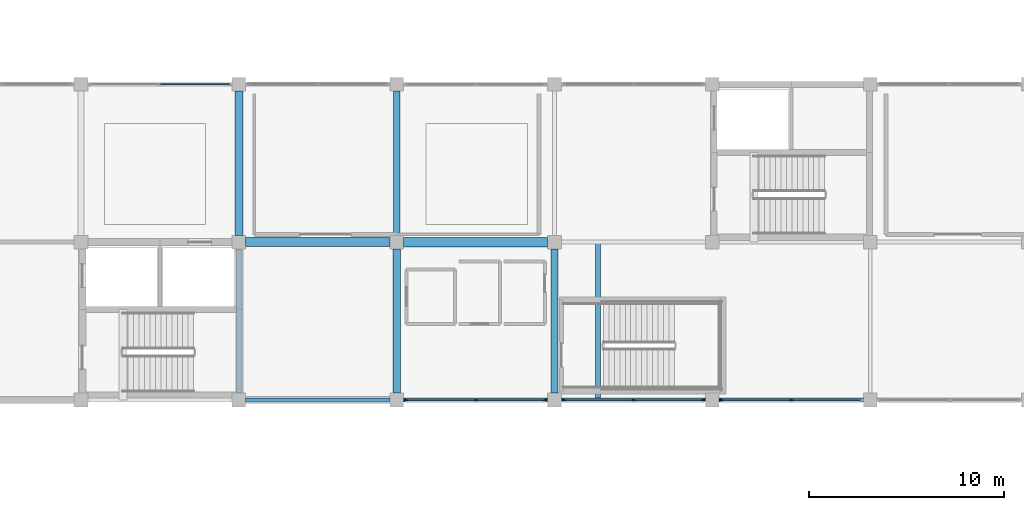
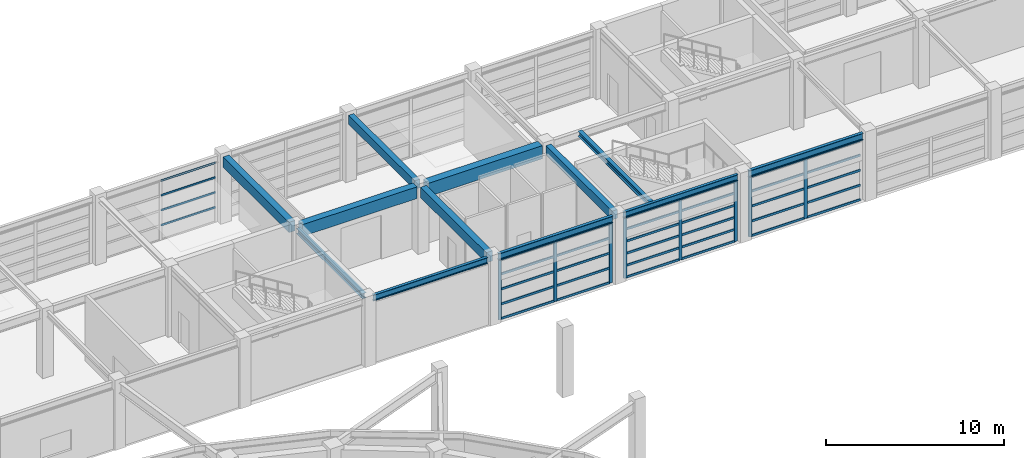
# One storey, part 25 of 56: 44 members, 12 beams, 4 elements without a shape of their own.
"""IFC4 building model written with IfcOpenShell, lengths in metres."""

from ifc_helpers import new_model, si_unit, direction, frame, origin, origin_2d, place, context, subcontext, project, spatial, rectangle, i_section, extrude, material, material_profile, profile_set, type_object, element, aggregate, save


model = new_model("IFC4")

# Units and contexts
model_context = context("Model", 3, precision=1e-05, world=origin(), true_north=direction((0.0, 1.0)))
body_context = subcontext(model_context, "Body", "Model", "MODEL_VIEW")
ifc_project = project(units=[si_unit("LENGTHUNIT", "METRE"), si_unit("AREAUNIT", "SQUARE_METRE"), si_unit("VOLUMEUNIT", "CUBIC_METRE"), si_unit("PLANEANGLEUNIT", "RADIAN"), si_unit("MASSUNIT", "GRAM", prefix="KILO")], contexts=[model_context])

# Site, building, storey
site_placement = place(None, origin())
site = spatial("IfcSite", under=ifc_project, at=site_placement, CompositionType="ELEMENT")
building_placement = place(site_placement, origin())
building = spatial("IfcBuilding", under=site, at=building_placement, Name="Parian Resonance Hall", CompositionType="ELEMENT")
storey_placement = place(building_placement, frame((0.0, 0.0, 5.39990234375)))
storey = spatial("IfcBuildingStorey", under=building, at=storey_placement, Name="L01", CompositionType="ELEMENT", Elevation=5.39990234375)

# Beams
ifc_material_1 = material(Name="Concrete C40/50", Category="concrete")
ifc_material_profile_1 = material_profile(ifc_material_1, rectangle(XDim=0.35009765625, YDim=0.60009765625, at=origin_2d()), Name="RC-BM-350x600")
ifc_profile_set_1 = profile_set([ifc_material_profile_1], Name="Concrete C40/50")
beam_type_1 = type_object("IfcBeamType", Name="BM-RC350x600", PredefinedType="BEAM", material=ifc_profile_set_1)
for number, where, z_axis, x_axis, name in (
    (1, (72.89990234375, 81.35009765625, 4.260009765625), (0.0, 1.0, 0.0), (-1.0, 0.0, 0.0), "GY-L01-0612"),
    (2, (81.0, 73.25, 4.260009765625), (0.0, 1.0, 0.0), (-1.0, 0.0, 0.0), "GY-L01-0613"),
):
    element("IfcBeam", number, at=place(storey_placement, frame(where, z_axis=z_axis, x_axis=x_axis)), inside=storey, type_object=beam_type_1, Name=name, PredefinedType="BEAM", context=body_context, shape_type="SweptSolid", body=[
        extrude(rectangle(XDim=0.35009765625, YDim=0.60009765625, at=origin_2d()), origin(), (0.0, 0.0, 1.0), 7.39990234375),
    ])
ifc_material_2 = material(Name="Concrete C40/50", Category="concrete")
ifc_material_profile_2 = material_profile(ifc_material_2, rectangle(XDim=0.39990234375, YDim=0.699951171875, at=origin_2d()), Name="RC-BM-400x700")
ifc_profile_set_2 = profile_set([ifc_material_profile_2], Name="Concrete C40/50")
beam_type_2 = type_object("IfcBeamType", Name="BM-RC400x700", PredefinedType="BEAM", material=ifc_profile_set_2)
for number, where, z_axis, x_axis, name in (
    (3, (64.800048828125, 81.35009765625, 4.210205078125), (0.0, 1.0, 0.0), (-1.0, 0.0, 0.0), "GY-L01-0607"),
    (4, (72.89990234375, 73.25, 4.210205078125), (0.0, 1.0, 0.0), (-1.0, 0.0, 0.0), "GY-L01-0611"),
):
    element("IfcBeam", number, at=place(storey_placement, frame(where, z_axis=z_axis, x_axis=x_axis)), inside=storey, type_object=beam_type_2, Name=name, PredefinedType="BEAM", context=body_context, shape_type="SweptSolid", body=[
        extrude(rectangle(XDim=0.39990234375, YDim=0.699951171875, at=origin_2d()), origin(), (0.0, 0.0, 1.0), 7.39990234375),
    ])
ifc_material_3 = material(Name="Concrete C40/50", Category="concrete")
ifc_material_profile_3 = material_profile(ifc_material_3, rectangle(XDim=0.449951171875, YDim=0.800048828125, at=origin_2d()), Name="RC-BM-450x800")
ifc_profile_set_3 = profile_set([ifc_material_profile_3], Name="Concrete C40/50")
beam_type_3 = type_object("IfcBeamType", Name="BM-RC450x800", PredefinedType="USERDEFINED", material=ifc_profile_set_3)
beam_1_placement = place(storey_placement, frame((65.14990234375, 81.0, 4.16015625), z_axis=(1.0, 0.0, 0.0), x_axis=(0.0, 1.0, 0.0)))
element("IfcBeam", 5, at=beam_1_placement, inside=storey, type_object=beam_type_3, Name="GX-L01-0544", ObjectType="GIRDER", PredefinedType="USERDEFINED", context=body_context, shape_type="SweptSolid", body=[
    extrude(rectangle(XDim=0.449951171875, YDim=0.800048828125, at=origin_2d()), origin(), (0.0, 0.0, 1.0), 7.400146484375),
])
ifc_material_4 = material(Name="Concrete C40/50", Category="concrete")
ifc_material_profile_4 = material_profile(ifc_material_4, rectangle(XDim=0.5, YDim=0.89990234375, at=origin_2d()), Name="RC-BM-500x900")
ifc_profile_set_4 = profile_set([ifc_material_profile_4], Name="Concrete C40/50")
beam_type_4 = type_object("IfcBeamType", Name="BM-RC500x900", PredefinedType="USERDEFINED", material=ifc_profile_set_4)
beam_2_placement = place(storey_placement, frame((73.25, 81.0, 4.110107421875), z_axis=(1.0, 0.0, 0.0), x_axis=(0.0, 1.0, 0.0)))
element("IfcBeam", 6, at=beam_2_placement, inside=storey, type_object=beam_type_4, Name="GX-L01-0547", ObjectType="GIRDER", PredefinedType="USERDEFINED", context=body_context, shape_type="SweptSolid", body=[
    extrude(rectangle(XDim=0.5, YDim=0.89990234375, at=origin_2d()), origin(), (0.0, 0.0, 1.0), 7.39990234375),
])
ifc_material_5 = material(Name="Steel S355", Category="steel")
ifc_material_profile_5 = material_profile(ifc_material_5, i_section(OverallWidth=0.2548828125, OverallDepth=0.35693359375, WebThickness=0.010498046875, FlangeThickness=0.018310546875, FilletRadius=0.01513671875, at=origin_2d()), Name="W360x101")
ifc_profile_set_5 = profile_set([ifc_material_profile_5], Name="Steel S355")
beam_type_5 = type_object("IfcBeamType", Name="BM-W360x101", PredefinedType="SPANDREL", material=ifc_profile_set_5)
beam_3_placement = place(storey_placement, frame((64.800048828125, 73.25, 4.381591796875), z_axis=(0.0, 1.0, 0.0), x_axis=(-1.0, 0.0, 0.0)))
element("IfcBeam", 7, at=beam_3_placement, inside=storey, type_object=beam_type_5, Name="GY-L01-0606", PredefinedType="SPANDREL", context=body_context, shape_type="SweptSolid", body=[
    extrude(i_section(OverallWidth=0.2548828125, OverallDepth=0.35693359375, WebThickness=0.010498046875, FlangeThickness=0.018310546875, FilletRadius=0.01513671875, at=origin_2d()), origin(), (0.0, 0.0, 1.0), 7.39990234375),
])
beam_4_placement = place(storey_placement, frame((83.219970703125, 72.89990234375, 4.381591796875), z_axis=(0.0, 1.0, 0.0), x_axis=(-1.0, 0.0, 0.0)))
element("IfcBeam", 8, at=beam_4_placement, inside=storey, type_object=beam_type_5, Name="Feature stair ST-08 arrival header beam L01", PredefinedType="SPANDREL", context=body_context, shape_type="SweptSolid", body=[
    extrude(i_section(OverallWidth=0.2548828125, OverallDepth=0.35693359375, WebThickness=0.010498046875, FlangeThickness=0.018310546875, FilletRadius=0.01513671875, at=origin_2d()), origin(), (0.0, 0.0, 1.0), 8.10009765625),
])
ifc_material_6 = material(Name="Steel S355", Category="steel")
ifc_material_profile_6 = material_profile(ifc_material_6, i_section(OverallWidth=0.180908203125, OverallDepth=0.4169921875, WebThickness=0.010986328125, FlangeThickness=0.018310546875, FilletRadius=0.01513671875, at=origin_2d()), Name="W410x85")
ifc_profile_set_6 = profile_set([ifc_material_profile_6], Name="Steel S355")
beam_type_6 = type_object("IfcBeamType", Name="BM-W410x85", PredefinedType="SPANDREL", material=ifc_profile_set_6)
beam_5_placement = place(storey_placement, frame((65.14990234375, 72.89990234375, 4.3515625), z_axis=(1.0, 0.0, 0.0), x_axis=(0.0, 1.0, 0.0)))
element("IfcBeam", 9, at=beam_5_placement, inside=storey, type_object=beam_type_6, Name="GX-L01-0543", PredefinedType="SPANDREL", context=body_context, shape_type="SweptSolid", body=[
    extrude(i_section(OverallWidth=0.180908203125, OverallDepth=0.4169921875, WebThickness=0.010986328125, FlangeThickness=0.018310546875, FilletRadius=0.01513671875, at=origin_2d()), origin(), (0.0, 0.0, 1.0), 7.400146484375),
])
beam_6_placement = place(storey_placement, frame((81.35009765625, 72.89990234375, 4.3515625), z_axis=(1.0, 0.0, 0.0), x_axis=(0.0, 1.0, 0.0)))
element("IfcBeam", 10, at=beam_6_placement, inside=storey, type_object=beam_type_6, Name="GX-L01-0549", PredefinedType="SPANDREL", context=body_context, shape_type="SweptSolid", body=[
    extrude(i_section(OverallWidth=0.180908203125, OverallDepth=0.4169921875, WebThickness=0.010986328125, FlangeThickness=0.018310546875, FilletRadius=0.01513671875, at=origin_2d()), origin(), (0.0, 0.0, 1.0), 7.39990234375),
])
ifc_material_7 = material(Name="Steel S355", Category="steel")
ifc_material_profile_7 = material_profile(ifc_material_7, i_section(OverallWidth=0.194091796875, OverallDepth=0.468994140625, WebThickness=0.0126953125, FlangeThickness=0.0205078125, FilletRadius=0.01513671875, at=origin_2d()), Name="W460x106")
ifc_profile_set_7 = profile_set([ifc_material_profile_7], Name="Steel S355")
beam_type_7 = type_object("IfcBeamType", Name="BM-W460x106", PredefinedType="SPANDREL", material=ifc_profile_set_7)
beam_7_placement = place(storey_placement, frame((73.25, 72.89990234375, 4.32568359375), z_axis=(1.0, 0.0, 0.0), x_axis=(0.0, 1.0, 0.0)))
element("IfcBeam", 11, at=beam_7_placement, inside=storey, type_object=beam_type_7, Name="GX-L01-0546", PredefinedType="SPANDREL", context=body_context, shape_type="SweptSolid", body=[
    extrude(i_section(OverallWidth=0.194091796875, OverallDepth=0.468994140625, WebThickness=0.0126953125, FlangeThickness=0.0205078125, FilletRadius=0.01513671875, at=origin_2d()), origin(), (0.0, 0.0, 1.0), 7.39990234375),
])
beam_8_placement = place(storey_placement, frame((89.449951171875, 72.89990234375, 4.32568359375), z_axis=(1.0, 0.0, 0.0), x_axis=(0.0, 1.0, 0.0)))
element("IfcBeam", 12, at=beam_8_placement, inside=storey, type_object=beam_type_7, Name="GX-L01-0552", PredefinedType="SPANDREL", context=body_context, shape_type="SweptSolid", body=[
    extrude(i_section(OverallWidth=0.194091796875, OverallDepth=0.468994140625, WebThickness=0.0126953125, FlangeThickness=0.0205078125, FilletRadius=0.01513671875, at=origin_2d()), origin(), (0.0, 0.0, 1.0), 7.400146484375),
])

# Curtain wall, members
ifc_material_8 = material(Name="Bronze-anodised aluminium frame", Category="aluminium")
curtain_wall_type_1 = type_object("IfcCurtainWallType", Name="CW-SYS-06", PredefinedType="NOTDEFINED", material=ifc_material_8)
curtain_wall_1_placement = place(storey_placement, origin())
curtain_wall_1 = element("IfcCurtainWall", 13, at=curtain_wall_1_placement, inside=storey, type_object=curtain_wall_type_1, Name="Curtain wall CW-L01-106", PredefinedType="NOTDEFINED")
ifc_material_9 = material(Name="Bronze-anodised aluminium frame", Category="aluminium")
ifc_material_profile_8 = material_profile(ifc_material_9, rectangle(XDim=0.074951171875, YDim=0.199951171875, at=origin_2d()), Name="CWM-75x200")
ifc_profile_set_8 = profile_set([ifc_material_profile_8], Name="Bronze-anodised aluminium frame")
member_type_1 = type_object("IfcMemberType", Name="CWM-75x200", PredefinedType="MULLION", material=ifc_profile_set_8)
member_1_placement = place(storey_placement, frame((80.532470703125, 72.89990234375, -0.0078125), z_axis=(0.0, 0.0, 1.0), x_axis=(0.0, -1.0, 0.0)))
member_1 = element("IfcMember", 14, at=member_1_placement, type_object=member_type_1, Name="CW-06 mullion 1", PredefinedType="MULLION", context=body_context, shape_type="SweptSolid", body=[
    extrude(rectangle(XDim=0.074951171875, YDim=0.199951171875, at=origin_2d()), origin(), (0.0, 0.0, 1.0), 4.10302734375),
])
member_2_placement = place(storey_placement, frame((76.949951171875, 72.89990234375, -0.0078125), z_axis=(0.0, 0.0, 1.0), x_axis=(0.0, -1.0, 0.0)))
member_2 = element("IfcMember", 15, at=member_2_placement, type_object=member_type_1, Name="CW-06 mullion 2", PredefinedType="MULLION", context=body_context, shape_type="SweptSolid", body=[
    extrude(rectangle(XDim=0.074951171875, YDim=0.199951171875, at=origin_2d()), origin(), (0.0, 0.0, 1.0), 4.10302734375),
])
member_3_placement = place(storey_placement, frame((73.367431640625, 72.89990234375, -0.0078125), z_axis=(0.0, 0.0, 1.0), x_axis=(0.0, -1.0, 0.0)))
member_3 = element("IfcMember", 16, at=member_3_placement, type_object=member_type_1, Name="CW-06 mullion 3", PredefinedType="MULLION", context=body_context, shape_type="SweptSolid", body=[
    extrude(rectangle(XDim=0.074951171875, YDim=0.199951171875, at=origin_2d()), origin(), (0.0, 0.0, 1.0), 4.10302734375),
])

ifc_material_10 = material(Name="Bronze-anodised aluminium frame", Category="aluminium")
curtain_wall_type_2 = type_object("IfcCurtainWallType", Name="CW-SYS-01", PredefinedType="NOTDEFINED", material=ifc_material_10)
curtain_wall_2_placement = place(storey_placement, origin())
curtain_wall_2 = element("IfcCurtainWall", 17, at=curtain_wall_2_placement, inside=storey, type_object=curtain_wall_type_2, Name="Curtain wall CW-L01-112", PredefinedType="NOTDEFINED")
member_4_placement = place(storey_placement, frame((88.632568359375, 72.89990234375, -0.0078125), z_axis=(0.0, 0.0, 1.0), x_axis=(0.0, -1.0, 0.0)))
member_4 = element("IfcMember", 18, at=member_4_placement, type_object=member_type_1, Name="CW-01 mullion 1", PredefinedType="MULLION", context=body_context, shape_type="SweptSolid", body=[
    extrude(rectangle(XDim=0.074951171875, YDim=0.199951171875, at=origin_2d()), origin(), (0.0, 0.0, 1.0), 4.155029296875),
])
member_5_placement = place(storey_placement, frame((85.050048828125, 72.89990234375, -0.0078125), z_axis=(0.0, 0.0, 1.0), x_axis=(0.0, -1.0, 0.0)))
member_5 = element("IfcMember", 19, at=member_5_placement, type_object=member_type_1, Name="CW-01 mullion 2", PredefinedType="MULLION", context=body_context, shape_type="SweptSolid", body=[
    extrude(rectangle(XDim=0.074951171875, YDim=0.199951171875, at=origin_2d()), origin(), (0.0, 0.0, 1.0), 4.155029296875),
])
member_6_placement = place(storey_placement, frame((81.467529296875, 72.89990234375, -0.0078125), z_axis=(0.0, 0.0, 1.0), x_axis=(0.0, -1.0, 0.0)))
member_6 = element("IfcMember", 20, at=member_6_placement, type_object=member_type_1, Name="CW-01 mullion 3", PredefinedType="MULLION", context=body_context, shape_type="SweptSolid", body=[
    extrude(rectangle(XDim=0.074951171875, YDim=0.199951171875, at=origin_2d()), origin(), (0.0, 0.0, 1.0), 4.155029296875),
])

ifc_material_11 = material(Name="Bronze-anodised aluminium frame", Category="aluminium")
curtain_wall_type_3 = type_object("IfcCurtainWallType", Name="CW-SYS-02", PredefinedType="NOTDEFINED", material=ifc_material_11)
curtain_wall_3_placement = place(storey_placement, origin())
curtain_wall_3 = element("IfcCurtainWall", 21, at=curtain_wall_3_placement, inside=storey, type_object=curtain_wall_type_3, Name="Curtain wall CW-L01-118", PredefinedType="NOTDEFINED")
member_7_placement = place(storey_placement, frame((93.14990234375, 72.89990234375, -0.0078125), z_axis=(0.0, 0.0, 1.0), x_axis=(0.0, -1.0, 0.0)))
member_7 = element("IfcMember", 22, at=member_7_placement, type_object=member_type_1, Name="CW-02 mullion 2", PredefinedType="MULLION", context=body_context, shape_type="SweptSolid", body=[
    extrude(rectangle(XDim=0.074951171875, YDim=0.199951171875, at=origin_2d()), origin(), (0.0, 0.0, 1.0), 4.10302734375),
])
member_8_placement = place(storey_placement, frame((89.5673828125, 72.89990234375, -0.0078125), z_axis=(0.0, 0.0, 1.0), x_axis=(0.0, -1.0, 0.0)))
member_8 = element("IfcMember", 23, at=member_8_placement, type_object=member_type_1, Name="CW-02 mullion 3", PredefinedType="MULLION", context=body_context, shape_type="SweptSolid", body=[
    extrude(rectangle(XDim=0.074951171875, YDim=0.199951171875, at=origin_2d()), origin(), (0.0, 0.0, 1.0), 4.10302734375),
])

ifc_material_12 = material(Name="Bronze-anodised aluminium frame", Category="aluminium")
curtain_wall_type_4 = type_object("IfcCurtainWallType", Name="CW-SYS-03", PredefinedType="NOTDEFINED", material=ifc_material_12)
curtain_wall_4_placement = place(storey_placement, origin())
curtain_wall_4 = element("IfcCurtainWall", 24, at=curtain_wall_4_placement, inside=storey, type_object=curtain_wall_type_4, Name="Curtain wall CW-L01-087", PredefinedType="NOTDEFINED")
ifc_material_13 = material(Name="Bronze-anodised aluminium frame", Category="aluminium")
ifc_material_profile_9 = material_profile(ifc_material_13, rectangle(XDim=0.06494140625, YDim=0.1201171875, at=origin_2d()), Name="CWT-65x120")
ifc_profile_set_9 = profile_set([ifc_material_profile_9], Name="Bronze-anodised aluminium frame")
member_type_2 = type_object("IfcMemberType", Name="CWT-65x120", PredefinedType="USERDEFINED", material=ifc_profile_set_9)
member_9_placement = place(storey_placement, frame((60.782470703125, 89.10009765625, 1.021484375), z_axis=(1.0, 0.0, 0.0), x_axis=(0.0, 1.0, 0.0)))
member_9 = element("IfcMember", 25, at=member_9_placement, type_object=member_type_2, Name="CW-03 transom 2.2", ObjectType="TRANSOM", PredefinedType="USERDEFINED", context=body_context, shape_type="SweptSolid", body=[
    extrude(rectangle(XDim=0.06494140625, YDim=0.1201171875, at=origin_2d()), origin(), (0.0, 0.0, 1.0), 3.5224609375),
])
member_10_placement = place(storey_placement, frame((60.782470703125, 89.10009765625, 2.04248046875), z_axis=(1.0, 0.0, 0.0), x_axis=(0.0, 1.0, 0.0)))
member_10 = element("IfcMember", 26, at=member_10_placement, type_object=member_type_2, Name="CW-03 transom 2.3", ObjectType="TRANSOM", PredefinedType="USERDEFINED", context=body_context, shape_type="SweptSolid", body=[
    extrude(rectangle(XDim=0.06494140625, YDim=0.1201171875, at=origin_2d()), origin(), (0.0, 0.0, 1.0), 3.5224609375),
])
member_11_placement = place(storey_placement, frame((60.782470703125, 89.10009765625, 3.063720703125), z_axis=(1.0, 0.0, 0.0), x_axis=(0.0, 1.0, 0.0)))
member_11 = element("IfcMember", 27, at=member_11_placement, type_object=member_type_2, Name="CW-03 transom 2.4", ObjectType="TRANSOM", PredefinedType="USERDEFINED", context=body_context, shape_type="SweptSolid", body=[
    extrude(rectangle(XDim=0.06494140625, YDim=0.1201171875, at=origin_2d()), origin(), (0.0, 0.0, 1.0), 3.5224609375),
])
member_12_placement = place(storey_placement, frame((60.782470703125, 89.10009765625, 4.0625), z_axis=(1.0, 0.0, 0.0), x_axis=(0.0, 1.0, 0.0)))
member_12 = element("IfcMember", 28, at=member_12_placement, type_object=member_type_2, Name="CW-03 transom 2.5", ObjectType="TRANSOM", PredefinedType="USERDEFINED", context=body_context, shape_type="SweptSolid", body=[
    extrude(rectangle(XDim=0.06494140625, YDim=0.1201171875, at=origin_2d()), origin(), (0.0, 0.0, 1.0), 3.5224609375),
])
aggregate(curtain_wall_4, [member_9, member_10, member_11, member_12])

# Member
ifc_material_14 = material(Name="Bronze-anodised aluminium frame", Category="aluminium")
ifc_material_profile_10 = material_profile(ifc_material_14, rectangle(XDim=0.074951171875, YDim=0.14990234375, at=origin_2d()), Name="CWT-75x150")
ifc_profile_set_10 = profile_set([ifc_material_profile_10], Name="Bronze-anodised aluminium frame")
member_type_3 = type_object("IfcMemberType", Name="CWT-75x150", PredefinedType="USERDEFINED", material=ifc_profile_set_10)
member_13_placement = place(storey_placement, frame((80.4951171875, 72.89990234375, 0.029541015625), z_axis=(-1.0, 0.0, 0.0), x_axis=(0.0, -1.0, 0.0)))
member_13 = element("IfcMember", 29, at=member_13_placement, type_object=member_type_3, Name="CW-06 transom 1.1", ObjectType="TRANSOM", PredefinedType="USERDEFINED", context=body_context, shape_type="SweptSolid", body=[
    extrude(rectangle(XDim=0.074951171875, YDim=0.14990234375, at=origin_2d()), origin(), (0.0, 0.0, 1.0), 3.507568359375),
])

member_14_placement = place(storey_placement, frame((80.4951171875, 72.89990234375, 1.021484375), z_axis=(-1.0, 0.0, 0.0), x_axis=(0.0, -1.0, 0.0)))
member_14 = element("IfcMember", 30, at=member_14_placement, type_object=member_type_3, Name="CW-06 transom 1.2", ObjectType="TRANSOM", PredefinedType="USERDEFINED", context=body_context, shape_type="SweptSolid", body=[
    extrude(rectangle(XDim=0.074951171875, YDim=0.14990234375, at=origin_2d()), origin(), (0.0, 0.0, 1.0), 3.507568359375),
])

member_15_placement = place(storey_placement, frame((80.4951171875, 72.89990234375, 2.04248046875), z_axis=(-1.0, 0.0, 0.0), x_axis=(0.0, -1.0, 0.0)))
member_15 = element("IfcMember", 31, at=member_15_placement, type_object=member_type_3, Name="CW-06 transom 1.3", ObjectType="TRANSOM", PredefinedType="USERDEFINED", context=body_context, shape_type="SweptSolid", body=[
    extrude(rectangle(XDim=0.074951171875, YDim=0.14990234375, at=origin_2d()), origin(), (0.0, 0.0, 1.0), 3.507568359375),
])

member_16_placement = place(storey_placement, frame((80.4951171875, 72.89990234375, 3.063720703125), z_axis=(-1.0, 0.0, 0.0), x_axis=(0.0, -1.0, 0.0)))
member_16 = element("IfcMember", 32, at=member_16_placement, type_object=member_type_3, Name="CW-06 transom 1.4", ObjectType="TRANSOM", PredefinedType="USERDEFINED", context=body_context, shape_type="SweptSolid", body=[
    extrude(rectangle(XDim=0.074951171875, YDim=0.14990234375, at=origin_2d()), origin(), (0.0, 0.0, 1.0), 3.507568359375),
])

member_17_placement = place(storey_placement, frame((80.4951171875, 72.89990234375, 4.0576171875), z_axis=(-1.0, 0.0, 0.0), x_axis=(0.0, -1.0, 0.0)))
member_17 = element("IfcMember", 33, at=member_17_placement, type_object=member_type_3, Name="CW-06 transom 1.5", ObjectType="TRANSOM", PredefinedType="USERDEFINED", context=body_context, shape_type="SweptSolid", body=[
    extrude(rectangle(XDim=0.074951171875, YDim=0.14990234375, at=origin_2d()), origin(), (0.0, 0.0, 1.0), 3.507568359375),
])

member_18_placement = place(storey_placement, frame((76.91259765625, 72.89990234375, 0.029541015625), z_axis=(-1.0, 0.0, 0.0), x_axis=(0.0, -1.0, 0.0)))
member_18 = element("IfcMember", 34, at=member_18_placement, type_object=member_type_3, Name="CW-06 transom 2.1", ObjectType="TRANSOM", PredefinedType="USERDEFINED", context=body_context, shape_type="SweptSolid", body=[
    extrude(rectangle(XDim=0.074951171875, YDim=0.14990234375, at=origin_2d()), origin(), (0.0, 0.0, 1.0), 3.507568359375),
])

member_19_placement = place(storey_placement, frame((76.91259765625, 72.89990234375, 1.021484375), z_axis=(-1.0, 0.0, 0.0), x_axis=(0.0, -1.0, 0.0)))
member_19 = element("IfcMember", 35, at=member_19_placement, type_object=member_type_3, Name="CW-06 transom 2.2", ObjectType="TRANSOM", PredefinedType="USERDEFINED", context=body_context, shape_type="SweptSolid", body=[
    extrude(rectangle(XDim=0.074951171875, YDim=0.14990234375, at=origin_2d()), origin(), (0.0, 0.0, 1.0), 3.507568359375),
])

member_20_placement = place(storey_placement, frame((76.91259765625, 72.89990234375, 2.04248046875), z_axis=(-1.0, 0.0, 0.0), x_axis=(0.0, -1.0, 0.0)))
member_20 = element("IfcMember", 36, at=member_20_placement, type_object=member_type_3, Name="CW-06 transom 2.3", ObjectType="TRANSOM", PredefinedType="USERDEFINED", context=body_context, shape_type="SweptSolid", body=[
    extrude(rectangle(XDim=0.074951171875, YDim=0.14990234375, at=origin_2d()), origin(), (0.0, 0.0, 1.0), 3.507568359375),
])

member_21_placement = place(storey_placement, frame((76.91259765625, 72.89990234375, 3.063720703125), z_axis=(-1.0, 0.0, 0.0), x_axis=(0.0, -1.0, 0.0)))
member_21 = element("IfcMember", 37, at=member_21_placement, type_object=member_type_3, Name="CW-06 transom 2.4", ObjectType="TRANSOM", PredefinedType="USERDEFINED", context=body_context, shape_type="SweptSolid", body=[
    extrude(rectangle(XDim=0.074951171875, YDim=0.14990234375, at=origin_2d()), origin(), (0.0, 0.0, 1.0), 3.507568359375),
])

member_22_placement = place(storey_placement, frame((76.91259765625, 72.89990234375, 4.0576171875), z_axis=(-1.0, 0.0, 0.0), x_axis=(0.0, -1.0, 0.0)))
member_22 = element("IfcMember", 38, at=member_22_placement, type_object=member_type_3, Name="CW-06 transom 2.5", ObjectType="TRANSOM", PredefinedType="USERDEFINED", context=body_context, shape_type="SweptSolid", body=[
    extrude(rectangle(XDim=0.074951171875, YDim=0.14990234375, at=origin_2d()), origin(), (0.0, 0.0, 1.0), 3.507568359375),
])

aggregate(curtain_wall_1, [member_1, member_2, member_3, member_13, member_14, member_15, member_16, member_17, member_18, member_19, member_20, member_21, member_22])

member_23_placement = place(storey_placement, frame((88.594970703125, 72.89990234375, 0.029541015625), z_axis=(-1.0, 0.0, 0.0), x_axis=(0.0, -1.0, 0.0)))
member_23 = element("IfcMember", 39, at=member_23_placement, type_object=member_type_3, Name="CW-01 transom 1.1", ObjectType="TRANSOM", PredefinedType="USERDEFINED", context=body_context, shape_type="SweptSolid", body=[
    extrude(rectangle(XDim=0.074951171875, YDim=0.14990234375, at=origin_2d()), origin(), (0.0, 0.0, 1.0), 3.507568359375),
])

member_24_placement = place(storey_placement, frame((88.594970703125, 72.89990234375, 0.827392578125), z_axis=(-1.0, 0.0, 0.0), x_axis=(0.0, -1.0, 0.0)))
member_24 = element("IfcMember", 40, at=member_24_placement, type_object=member_type_3, Name="CW-01 transom 1.2", ObjectType="TRANSOM", PredefinedType="USERDEFINED", context=body_context, shape_type="SweptSolid", body=[
    extrude(rectangle(XDim=0.074951171875, YDim=0.14990234375, at=origin_2d()), origin(), (0.0, 0.0, 1.0), 3.507568359375),
])

member_25_placement = place(storey_placement, frame((88.594970703125, 72.89990234375, 1.65478515625), z_axis=(-1.0, 0.0, 0.0), x_axis=(0.0, -1.0, 0.0)))
member_25 = element("IfcMember", 41, at=member_25_placement, type_object=member_type_3, Name="CW-01 transom 1.3", ObjectType="TRANSOM", PredefinedType="USERDEFINED", context=body_context, shape_type="SweptSolid", body=[
    extrude(rectangle(XDim=0.074951171875, YDim=0.14990234375, at=origin_2d()), origin(), (0.0, 0.0, 1.0), 3.507568359375),
])

member_26_placement = place(storey_placement, frame((88.594970703125, 72.89990234375, 2.482177734375), z_axis=(-1.0, 0.0, 0.0), x_axis=(0.0, -1.0, 0.0)))
member_26 = element("IfcMember", 42, at=member_26_placement, type_object=member_type_3, Name="CW-01 transom 1.4", ObjectType="TRANSOM", PredefinedType="USERDEFINED", context=body_context, shape_type="SweptSolid", body=[
    extrude(rectangle(XDim=0.074951171875, YDim=0.14990234375, at=origin_2d()), origin(), (0.0, 0.0, 1.0), 3.507568359375),
])

member_27_placement = place(storey_placement, frame((88.594970703125, 72.89990234375, 3.309814453125), z_axis=(-1.0, 0.0, 0.0), x_axis=(0.0, -1.0, 0.0)))
member_27 = element("IfcMember", 43, at=member_27_placement, type_object=member_type_3, Name="CW-01 transom 1.5", ObjectType="TRANSOM", PredefinedType="USERDEFINED", context=body_context, shape_type="SweptSolid", body=[
    extrude(rectangle(XDim=0.074951171875, YDim=0.14990234375, at=origin_2d()), origin(), (0.0, 0.0, 1.0), 3.507568359375),
])

member_28_placement = place(storey_placement, frame((88.594970703125, 72.89990234375, 4.109619140625), z_axis=(-1.0, 0.0, 0.0), x_axis=(0.0, -1.0, 0.0)))
member_28 = element("IfcMember", 44, at=member_28_placement, type_object=member_type_3, Name="CW-01 transom 1.6", ObjectType="TRANSOM", PredefinedType="USERDEFINED", context=body_context, shape_type="SweptSolid", body=[
    extrude(rectangle(XDim=0.074951171875, YDim=0.14990234375, at=origin_2d()), origin(), (0.0, 0.0, 1.0), 3.507568359375),
])

member_29_placement = place(storey_placement, frame((85.012451171875, 72.89990234375, 0.029541015625), z_axis=(-1.0, 0.0, 0.0), x_axis=(0.0, -1.0, 0.0)))
member_29 = element("IfcMember", 45, at=member_29_placement, type_object=member_type_3, Name="CW-01 transom 2.1", ObjectType="TRANSOM", PredefinedType="USERDEFINED", context=body_context, shape_type="SweptSolid", body=[
    extrude(rectangle(XDim=0.074951171875, YDim=0.14990234375, at=origin_2d()), origin(), (0.0, 0.0, 1.0), 3.507568359375),
])

member_30_placement = place(storey_placement, frame((85.012451171875, 72.89990234375, 0.827392578125), z_axis=(-1.0, 0.0, 0.0), x_axis=(0.0, -1.0, 0.0)))
member_30 = element("IfcMember", 46, at=member_30_placement, type_object=member_type_3, Name="CW-01 transom 2.2", ObjectType="TRANSOM", PredefinedType="USERDEFINED", context=body_context, shape_type="SweptSolid", body=[
    extrude(rectangle(XDim=0.074951171875, YDim=0.14990234375, at=origin_2d()), origin(), (0.0, 0.0, 1.0), 3.507568359375),
])

member_31_placement = place(storey_placement, frame((85.012451171875, 72.89990234375, 1.65478515625), z_axis=(-1.0, 0.0, 0.0), x_axis=(0.0, -1.0, 0.0)))
member_31 = element("IfcMember", 47, at=member_31_placement, type_object=member_type_3, Name="CW-01 transom 2.3", ObjectType="TRANSOM", PredefinedType="USERDEFINED", context=body_context, shape_type="SweptSolid", body=[
    extrude(rectangle(XDim=0.074951171875, YDim=0.14990234375, at=origin_2d()), origin(), (0.0, 0.0, 1.0), 3.507568359375),
])

member_32_placement = place(storey_placement, frame((85.012451171875, 72.89990234375, 2.482177734375), z_axis=(-1.0, 0.0, 0.0), x_axis=(0.0, -1.0, 0.0)))
member_32 = element("IfcMember", 48, at=member_32_placement, type_object=member_type_3, Name="CW-01 transom 2.4", ObjectType="TRANSOM", PredefinedType="USERDEFINED", context=body_context, shape_type="SweptSolid", body=[
    extrude(rectangle(XDim=0.074951171875, YDim=0.14990234375, at=origin_2d()), origin(), (0.0, 0.0, 1.0), 3.507568359375),
])

member_33_placement = place(storey_placement, frame((85.012451171875, 72.89990234375, 3.309814453125), z_axis=(-1.0, 0.0, 0.0), x_axis=(0.0, -1.0, 0.0)))
member_33 = element("IfcMember", 49, at=member_33_placement, type_object=member_type_3, Name="CW-01 transom 2.5", ObjectType="TRANSOM", PredefinedType="USERDEFINED", context=body_context, shape_type="SweptSolid", body=[
    extrude(rectangle(XDim=0.074951171875, YDim=0.14990234375, at=origin_2d()), origin(), (0.0, 0.0, 1.0), 3.507568359375),
])

member_34_placement = place(storey_placement, frame((85.012451171875, 72.89990234375, 4.109619140625), z_axis=(-1.0, 0.0, 0.0), x_axis=(0.0, -1.0, 0.0)))
member_34 = element("IfcMember", 50, at=member_34_placement, type_object=member_type_3, Name="CW-01 transom 2.6", ObjectType="TRANSOM", PredefinedType="USERDEFINED", context=body_context, shape_type="SweptSolid", body=[
    extrude(rectangle(XDim=0.074951171875, YDim=0.14990234375, at=origin_2d()), origin(), (0.0, 0.0, 1.0), 3.507568359375),
])

aggregate(curtain_wall_2, [member_4, member_5, member_6, member_23, member_24, member_25, member_26, member_27, member_28, member_29, member_30, member_31, member_32, member_33, member_34])

member_35_placement = place(storey_placement, frame((96.695068359375, 72.89990234375, 0.029541015625), z_axis=(-1.0, 0.0, 0.0), x_axis=(0.0, -1.0, 0.0)))
member_35 = element("IfcMember", 51, at=member_35_placement, type_object=member_type_3, Name="CW-02 transom 1.1", ObjectType="TRANSOM", PredefinedType="USERDEFINED", context=body_context, shape_type="SweptSolid", body=[
    extrude(rectangle(XDim=0.074951171875, YDim=0.14990234375, at=origin_2d()), origin(), (0.0, 0.0, 1.0), 3.507568359375),
])

member_36_placement = place(storey_placement, frame((96.695068359375, 72.89990234375, 1.021484375), z_axis=(-1.0, 0.0, 0.0), x_axis=(0.0, -1.0, 0.0)))
member_36 = element("IfcMember", 52, at=member_36_placement, type_object=member_type_3, Name="CW-02 transom 1.2", ObjectType="TRANSOM", PredefinedType="USERDEFINED", context=body_context, shape_type="SweptSolid", body=[
    extrude(rectangle(XDim=0.074951171875, YDim=0.14990234375, at=origin_2d()), origin(), (0.0, 0.0, 1.0), 3.507568359375),
])

member_37_placement = place(storey_placement, frame((96.695068359375, 72.89990234375, 2.04248046875), z_axis=(-1.0, 0.0, 0.0), x_axis=(0.0, -1.0, 0.0)))
member_37 = element("IfcMember", 53, at=member_37_placement, type_object=member_type_3, Name="CW-02 transom 1.3", ObjectType="TRANSOM", PredefinedType="USERDEFINED", context=body_context, shape_type="SweptSolid", body=[
    extrude(rectangle(XDim=0.074951171875, YDim=0.14990234375, at=origin_2d()), origin(), (0.0, 0.0, 1.0), 3.507568359375),
])

member_38_placement = place(storey_placement, frame((96.695068359375, 72.89990234375, 3.063720703125), z_axis=(-1.0, 0.0, 0.0), x_axis=(0.0, -1.0, 0.0)))
member_38 = element("IfcMember", 54, at=member_38_placement, type_object=member_type_3, Name="CW-02 transom 1.4", ObjectType="TRANSOM", PredefinedType="USERDEFINED", context=body_context, shape_type="SweptSolid", body=[
    extrude(rectangle(XDim=0.074951171875, YDim=0.14990234375, at=origin_2d()), origin(), (0.0, 0.0, 1.0), 3.507568359375),
])

member_39_placement = place(storey_placement, frame((96.695068359375, 72.89990234375, 4.0576171875), z_axis=(-1.0, 0.0, 0.0), x_axis=(0.0, -1.0, 0.0)))
member_39 = element("IfcMember", 55, at=member_39_placement, type_object=member_type_3, Name="CW-02 transom 1.5", ObjectType="TRANSOM", PredefinedType="USERDEFINED", context=body_context, shape_type="SweptSolid", body=[
    extrude(rectangle(XDim=0.074951171875, YDim=0.14990234375, at=origin_2d()), origin(), (0.0, 0.0, 1.0), 3.507568359375),
])

member_40_placement = place(storey_placement, frame((93.112548828125, 72.89990234375, 0.029541015625), z_axis=(-1.0, 0.0, 0.0), x_axis=(0.0, -1.0, 0.0)))
member_40 = element("IfcMember", 56, at=member_40_placement, type_object=member_type_3, Name="CW-02 transom 2.1", ObjectType="TRANSOM", PredefinedType="USERDEFINED", context=body_context, shape_type="SweptSolid", body=[
    extrude(rectangle(XDim=0.074951171875, YDim=0.14990234375, at=origin_2d()), origin(), (0.0, 0.0, 1.0), 3.507568359375),
])

member_41_placement = place(storey_placement, frame((93.112548828125, 72.89990234375, 1.021484375), z_axis=(-1.0, 0.0, 0.0), x_axis=(0.0, -1.0, 0.0)))
member_41 = element("IfcMember", 57, at=member_41_placement, type_object=member_type_3, Name="CW-02 transom 2.2", ObjectType="TRANSOM", PredefinedType="USERDEFINED", context=body_context, shape_type="SweptSolid", body=[
    extrude(rectangle(XDim=0.074951171875, YDim=0.14990234375, at=origin_2d()), origin(), (0.0, 0.0, 1.0), 3.507568359375),
])

member_42_placement = place(storey_placement, frame((93.112548828125, 72.89990234375, 2.04248046875), z_axis=(-1.0, 0.0, 0.0), x_axis=(0.0, -1.0, 0.0)))
member_42 = element("IfcMember", 58, at=member_42_placement, type_object=member_type_3, Name="CW-02 transom 2.3", ObjectType="TRANSOM", PredefinedType="USERDEFINED", context=body_context, shape_type="SweptSolid", body=[
    extrude(rectangle(XDim=0.074951171875, YDim=0.14990234375, at=origin_2d()), origin(), (0.0, 0.0, 1.0), 3.507568359375),
])

member_43_placement = place(storey_placement, frame((93.112548828125, 72.89990234375, 3.063720703125), z_axis=(-1.0, 0.0, 0.0), x_axis=(0.0, -1.0, 0.0)))
member_43 = element("IfcMember", 59, at=member_43_placement, type_object=member_type_3, Name="CW-02 transom 2.4", ObjectType="TRANSOM", PredefinedType="USERDEFINED", context=body_context, shape_type="SweptSolid", body=[
    extrude(rectangle(XDim=0.074951171875, YDim=0.14990234375, at=origin_2d()), origin(), (0.0, 0.0, 1.0), 3.507568359375),
])

member_44_placement = place(storey_placement, frame((93.112548828125, 72.89990234375, 4.0576171875), z_axis=(-1.0, 0.0, 0.0), x_axis=(0.0, -1.0, 0.0)))
member_44 = element("IfcMember", 60, at=member_44_placement, type_object=member_type_3, Name="CW-02 transom 2.5", ObjectType="TRANSOM", PredefinedType="USERDEFINED", context=body_context, shape_type="SweptSolid", body=[
    extrude(rectangle(XDim=0.074951171875, YDim=0.14990234375, at=origin_2d()), origin(), (0.0, 0.0, 1.0), 3.507568359375),
])

aggregate(curtain_wall_3, [member_7, member_8, member_35, member_36, member_37, member_38, member_39, member_40, member_41, member_42, member_43, member_44])

save(model, "model.ifc")
